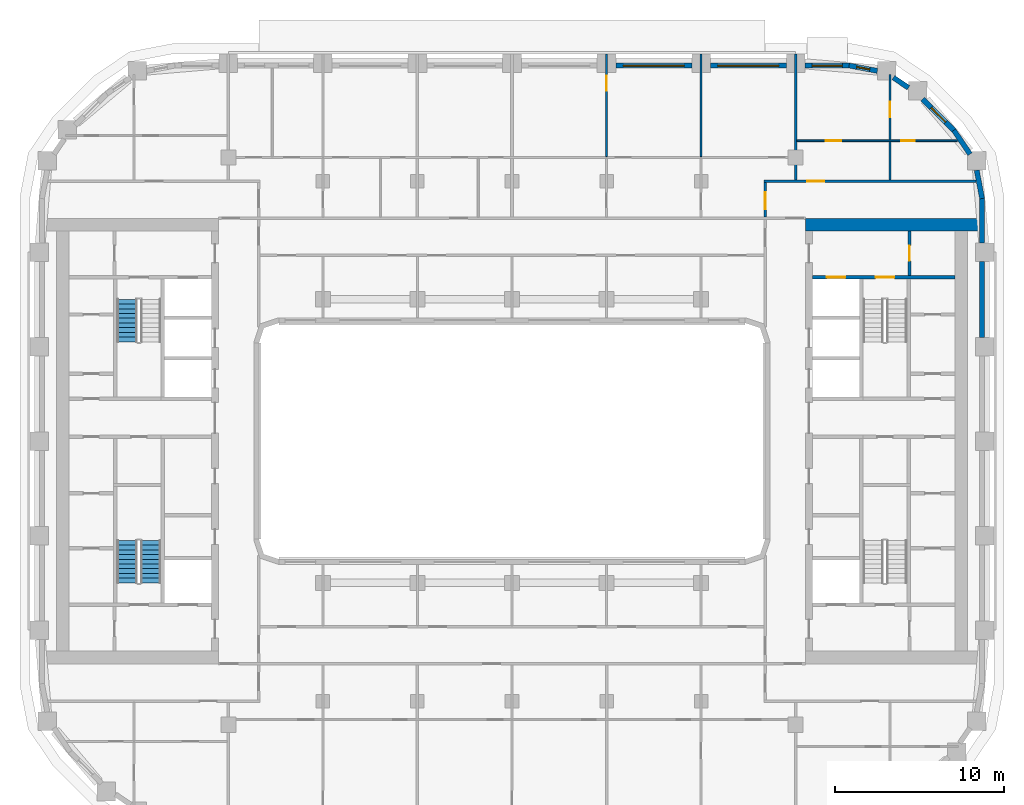
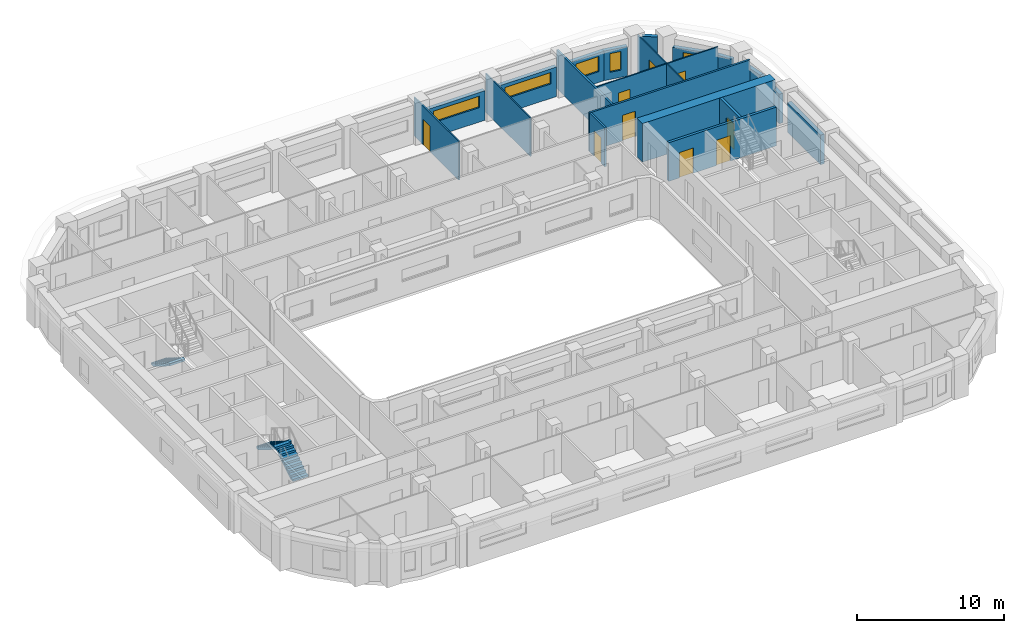
# One storey, part 9 of 22: 21 walls, 9 doors, 5 windows, 3 stair flights, 14 openings, 2 elements without a shape of their own.
"""IFC4 building model written with IfcOpenShell, lengths in metres."""

from ifc_helpers import new_model, si_unit, direction, frame, frame_2d, origin, place, context, subcontext, project, spatial, polyline, rectangle, outline, extrude, material, layer, layer_set, type_object, element, fill, aggregate, save


model = new_model("IFC4")

# Units and contexts
model_context = context("Model", 3, precision=1e-05, world=origin(), true_north=direction((0.0, 1.0)))
body_context = subcontext(model_context, "Body", "Model", "MODEL_VIEW")
ifc_project = project(units=[si_unit("LENGTHUNIT", "METRE"), si_unit("AREAUNIT", "SQUARE_METRE"), si_unit("VOLUMEUNIT", "CUBIC_METRE"), si_unit("PLANEANGLEUNIT", "RADIAN"), si_unit("MASSUNIT", "GRAM", prefix="KILO")], contexts=[model_context])

# Site, building, storey
site_placement = place(None, origin())
site = spatial("IfcSite", under=ifc_project, at=site_placement, CompositionType="ELEMENT")
building_placement = place(site_placement, origin())
building = spatial("IfcBuilding", under=site, at=building_placement, Name="Kiln Ring Residences", CompositionType="ELEMENT")
storey_placement = place(building_placement, frame((0.0, 0.0, 153.60009765625)))
storey = spatial("IfcBuildingStorey", under=building, at=storey_placement, Name="L39", CompositionType="ELEMENT", Elevation=153.60009765625)

# Wall, opening, door
ifc_material_1 = material(Name="Gypsum board on steel studs", Category="steel")
ifc_layer_1 = layer(ifc_material_1, 0.199951171875)
ifc_layer_set_1 = layer_set([ifc_layer_1], Name="CORE-PARTITION-200")
wall_type_1 = type_object("IfcWallType", Name="CORE-PARTITION-200", PredefinedType="PARTITIONING", material=ifc_layer_set_1)
wall_1_placement = place(storey_placement, frame((23.550048828125, 9.800048828125, 0.0), z_axis=(0.0, 0.0, 1.0), x_axis=(0.0, 1.0, 0.0)))
wall_1 = element("IfcWall", 1, at=wall_1_placement, inside=storey, type_object=wall_type_1, Name="Core partition east L39 4", PredefinedType="PARTITIONING", context=body_context, shape_type="SweptSolid", body=[
    extrude(rectangle(XDim=2.64990234375, YDim=0.199951171875, at=frame_2d((1.324951171875, 0.0))), origin(), (0.0, 0.0, 1.0), 3.199951171875),
])
opening_1_placement = place(wall_1_placement, frame((0.875, 0.0, 0.0)))
opening_1 = element("IfcOpeningElement", 2, at=opening_1_placement, cuts=wall_1, Name="Opening L39-CE09", PredefinedType="OPENING", context=body_context, shape_type="SweptSolid", body=[
    extrude(rectangle(XDim=0.89990234375, YDim=2.10009765625, at=frame_2d((0.449951171875, 1.050048828125))), frame((0.0, 0.10986328125, 0.0), z_axis=(0.0, -1.0, 0.0), x_axis=(1.0, 0.0, 0.0)), (0.0, 0.0, 1.0), 0.219970703125),
])
ifc_material_2 = material(Name="Steel door leaf", Category="steel")
door_type_1 = type_object("IfcDoorType", Name="CORE-DOOR-ROOM", OperationType="SINGLE_SWING_LEFT", PredefinedType="DOOR", material=ifc_material_2)
door_1_placement = place(opening_1_placement, origin())
door_1 = element("IfcDoor", 3, at=door_1_placement, inside=storey, type_object=door_type_1, Name="Fire riser room L39-CE09", OperationType="SINGLE_SWING_RIGHT", OverallHeight=2.10009765625, OverallWidth=0.89990234375, PredefinedType="DOOR", context=body_context, shape_type="SweptSolid", body=[
    extrude(rectangle(XDim=0.89990234375, YDim=2.10009765625, at=frame_2d((0.449951171875, 1.050048828125))), frame((0.0, 0.02490234375, 0.0), z_axis=(0.0, -1.0, 0.0), x_axis=(1.0, 0.0, 0.0)), (0.0, 0.0, 1.0), 0.050048828125),
])
fill(opening_1, door_1)

# Wall, openings, doors
ifc_material_3 = material(Name="Concrete C40/50", Category="concrete")
ifc_layer_2 = layer(ifc_material_3, 0.199951171875)
ifc_layer_set_2 = layer_set([ifc_layer_2], Name="CORE-WALL-RC200")
wall_type_2 = type_object("IfcWallType", Name="CORE-WALL-RC200", PredefinedType="SHEAR", material=ifc_layer_set_2)
wall_2_placement = place(storey_placement, frame((17.800048828125, 9.699951171875, 0.0), z_axis=(0.0, 0.0, 1.0), x_axis=(1.0, 0.0, 0.0)))
wall_2 = element("IfcWall", 4, at=wall_2_placement, inside=storey, type_object=wall_type_2, Name="Core wall east L39 9", PredefinedType="SHEAR", context=body_context, shape_type="SweptSolid", body=[
    extrude(rectangle(XDim=8.449951171875, YDim=0.199951171875, at=frame_2d((4.22509765625, 0.0))), origin(), (0.0, 0.0, 1.0), 3.199951171875),
])
opening_2_placement = place(wall_2_placement, frame((0.85009765625, 0.0, 0.0)))
opening_2 = element("IfcOpeningElement", 5, at=opening_2_placement, cuts=wall_2, Name="Opening L39-CE06", PredefinedType="OPENING", context=body_context, shape_type="SweptSolid", body=[
    extrude(rectangle(XDim=1.10009765625, YDim=2.10009765625, at=frame_2d((0.550048828125, 1.050048828125))), frame((0.0, 0.10986328125, 0.0), z_axis=(0.0, -1.0, 0.0), x_axis=(1.0, 0.0, 0.0)), (0.0, 0.0, 1.0), 0.219970703125),
])
opening_3_placement = place(wall_2_placement, frame((3.75, 0.0, 0.0)))
opening_3 = element("IfcOpeningElement", 6, at=opening_3_placement, cuts=wall_2, Name="Opening L39-CE11", PredefinedType="OPENING", context=body_context, shape_type="SweptSolid", body=[
    extrude(rectangle(XDim=1.10009765625, YDim=2.10009765625, at=frame_2d((0.550048828125, 1.050048828125))), frame((0.0, 0.10986328125, 0.0), z_axis=(0.0, -1.0, 0.0), x_axis=(1.0, 0.0, 0.0)), (0.0, 0.0, 1.0), 0.219970703125),
])
ifc_material_4 = material(Name="Steel door leaf", Category="steel")
door_type_2 = type_object("IfcDoorType", Name="CORE-DOOR-LD", OperationType="DOUBLE_DOOR_SLIDING", PredefinedType="DOOR", material=ifc_material_4)
door_2_placement = place(opening_2_placement, origin())
door_2 = element("IfcDoor", 7, at=door_2_placement, inside=storey, type_object=door_type_2, Name="LD E-FF L39-CE06", OperationType="DOUBLE_DOOR_SLIDING", OverallHeight=2.10009765625, OverallWidth=1.10009765625, PredefinedType="DOOR", context=body_context, shape_type="SweptSolid", body=[
    extrude(rectangle(XDim=1.10009765625, YDim=2.10009765625, at=frame_2d((0.550048828125, 1.050048828125))), frame((0.0, 0.02490234375, 0.0), z_axis=(0.0, -1.0, 0.0), x_axis=(1.0, 0.0, 0.0)), (0.0, 0.0, 1.0), 0.050048828125),
])
fill(opening_2, door_2)
ifc_material_5 = material(Name="Steel door leaf", Category="steel")
door_type_3 = type_object("IfcDoorType", Name="CORE-DOOR-STAIR", OperationType="SINGLE_SWING_LEFT", PredefinedType="DOOR", material=ifc_material_5)
door_3_placement = place(opening_3_placement, origin())
door_3 = element("IfcDoor", 8, at=door_3_placement, inside=storey, type_object=door_type_3, Name="Stair E-STN L39-CE11", OperationType="SINGLE_SWING_RIGHT", OverallHeight=2.10009765625, OverallWidth=1.10009765625, PredefinedType="DOOR", context=body_context, shape_type="SweptSolid", body=[
    extrude(rectangle(XDim=1.10009765625, YDim=2.10009765625, at=frame_2d((0.550048828125, 1.050048828125))), frame((0.0, 0.02490234375, 0.0), z_axis=(0.0, -1.0, 0.0), x_axis=(1.0, 0.0, 0.0)), (0.0, 0.0, 1.0), 0.050048828125),
])
fill(opening_3, door_3)

# Walls
ifc_material_6 = material(Name="Concrete C60/75", Category="concrete")
ifc_layer_3 = layer(ifc_material_6, 0.75)
ifc_layer_set_3 = layer_set([ifc_layer_3], Name="CORE-WALL-RC750")
wall_type_3 = type_object("IfcWallType", Name="CORE-WALL-RC750", PredefinedType="SHEAR", material=ifc_layer_set_3)
wall_3_placement = place(storey_placement, frame((17.39990234375, 12.824951171875, 0.0), z_axis=(0.0, 0.0, 1.0), x_axis=(1.0, 0.0, 0.0)))
element("IfcWall", 9, at=wall_3_placement, inside=storey, type_object=wall_type_3, Name="Core wall east L39 4", PredefinedType="SHEAR", context=body_context, shape_type="SweptSolid", body=[
    extrude(rectangle(XDim=10.400146484375, YDim=0.75, at=frame_2d((5.2001953125, 0.0))), origin(), (0.0, 0.0, 1.0), 3.199951171875),
])
ifc_material_7 = material(Name="Brick masonry, dark clay brick", Category="masonry")
ifc_layer_4 = layer(ifc_material_7, 0.300048828125)
ifc_layer_set_4 = layer_set([ifc_layer_4], Name="EW-300 BRICK WALL")
wall_type_4 = type_object("IfcWallType", Name="EW-300 BRICK WALL", PredefinedType="SOLIDWALL", material=ifc_layer_set_4)
wall_4_placement = place(storey_placement, frame((27.85009765625, 6.14990234375, 0.0), z_axis=(0.0, 0.0, 1.0), x_axis=(0.0, 1.0, 0.0)))
element("IfcWall", 10, at=wall_4_placement, inside=storey, type_object=wall_type_4, Name="Facade wall L39 21", PredefinedType="SOLIDWALL", context=body_context, shape_type="SweptSolid", body=[
    extrude(rectangle(XDim=4.5, YDim=0.300048828125, at=frame_2d((2.25, 0.0))), origin(), (0.0, 0.0, 1.0), 2.449951171875),
])
wall_5_placement = place(storey_placement, frame((27.85009765625, 11.75, 0.0), z_axis=(0.0, 0.0, 1.0), x_axis=(0.0, 1.0, 0.0)))
element("IfcWall", 11, at=wall_5_placement, inside=storey, type_object=wall_type_4, Name="Facade wall L39 22", PredefinedType="SOLIDWALL", context=body_context, shape_type="SweptSolid", body=[
    extrude(rectangle(XDim=2.64990234375, YDim=0.300048828125, at=frame_2d((1.324951171875, 0.0))), origin(), (0.0, 0.0, 1.0), 2.449951171875),
])
wall_6_placement = place(storey_placement, frame((27.8525390625, 14.371826171875, 0.0), z_axis=(0.0, 0.0, 1.0), x_axis=(-0.187302784601, 0.982302227871, 0.0)))
element("IfcWall", 12, at=wall_6_placement, inside=storey, type_object=wall_type_4, Name="Facade wall L39 23", PredefinedType="SOLIDWALL", context=body_context, shape_type="SweptSolid", body=[
    extrude(rectangle(XDim=1.706298828125, YDim=0.300048828125, at=frame_2d((0.85302734375, 0.0))), origin(), (0.0, 0.0, 1.0), 2.449951171875),
])
wall_7_placement = place(storey_placement, frame((27.137939453125, 17.001708984375, 0.0), z_axis=(0.0, 0.0, 1.0), x_axis=(-0.562075160946, 0.827086158419, 0.0)))
element("IfcWall", 13, at=wall_7_placement, inside=storey, type_object=wall_type_4, Name="Facade wall L39 24", PredefinedType="SOLIDWALL", context=body_context, shape_type="SweptSolid", body=[
    extrude(rectangle(XDim=1.7060546875, YDim=0.300048828125, at=frame_2d((0.85302734375, 0.0))), origin(), (0.0, 0.0, 1.0), 2.449951171875),
])

# Wall, opening, window
wall_8_placement = place(storey_placement, frame((26.19677734375, 18.390869140625, 0.0), z_axis=(0.0, 0.0, 1.0), x_axis=(-0.707060717099, 0.707152842274, 0.0)))
wall_8 = element("IfcWall", 14, at=wall_8_placement, inside=storey, type_object=wall_type_4, Name="Facade wall L39 25", PredefinedType="SOLIDWALL", context=body_context, shape_type="SweptSolid", body=[
    extrude(rectangle(XDim=2.650146484375, YDim=0.300048828125, at=frame_2d((1.3251953125, 0.0))), origin(), (0.0, 0.0, 1.0), 2.449951171875),
])
opening_4_placement = place(wall_8_placement, frame((0.72509765625, 0.0, 0.60009765625)))
opening_4 = element("IfcOpeningElement", 15, at=opening_4_placement, cuts=wall_8, Name="Opening W1", PredefinedType="OPENING", context=body_context, shape_type="SweptSolid", body=[
    extrude(rectangle(XDim=1.199951171875, YDim=1.550048828125, at=frame_2d((0.60009765625, 0.77490234375))), frame((0.0, 0.159912109375, 0.0), z_axis=(0.0, -1.0, 0.0), x_axis=(1.0, 0.0, 0.0)), (0.0, 0.0, 1.0), 0.320068359375),
])
ifc_material_8 = material(Name="Aluminium frame with double glazing", Category="aluminium")
window_type_1 = type_object("IfcWindowType", Name="WINDOW 1200 x 1550", PartitioningType="SINGLE_PANEL", PredefinedType="WINDOW", material=ifc_material_8)
window_1_placement = place(opening_4_placement, origin())
window_1 = element("IfcWindow", 16, at=window_1_placement, inside=storey, type_object=window_type_1, Name="Window L39 14", OverallHeight=1.550048828125, OverallWidth=1.199951171875, PartitioningType="SINGLE_PANEL", PredefinedType="WINDOW", context=body_context, shape_type="SweptSolid", body=[
    extrude(rectangle(XDim=1.199951171875, YDim=1.550048828125, at=frame_2d((0.60009765625, 0.77490234375))), frame((0.0, 0.030029296875, 0.0), z_axis=(0.0, -1.0, 0.0), x_axis=(1.0, 0.0, 0.0)), (0.0, 0.0, 1.0), 0.06005859375),
])
fill(opening_4, window_1)

# Wall
wall_9_placement = place(storey_placement, frame((23.492431640625, 20.932373046875, 0.0), z_axis=(0.0, 0.0, 1.0), x_axis=(-0.826993959827, 0.562210806023, 0.0)))
element("IfcWall", 17, at=wall_9_placement, inside=storey, type_object=wall_type_4, Name="Facade wall L39 26", PredefinedType="SOLIDWALL", context=body_context, shape_type="SweptSolid", body=[
    extrude(rectangle(XDim=1.076904296875, YDim=0.300048828125, at=frame_2d((0.53857421875, 0.0))), origin(), (0.0, 0.0, 1.0), 3.199951171875),
])

# Wall, opening, window
wall_10_placement = place(storey_placement, frame((21.647705078125, 21.93310546875, 0.0), z_axis=(0.0, 0.0, 1.0), x_axis=(-0.982297206936, 0.187329114784, 0.0)))
wall_10 = element("IfcWall", 18, at=wall_10_placement, inside=storey, type_object=wall_type_4, Name="Facade wall L39 27", PredefinedType="SOLIDWALL", context=body_context, shape_type="SweptSolid", body=[
    extrude(rectangle(XDim=1.7060546875, YDim=0.300048828125, at=frame_2d((0.85302734375, 0.0))), origin(), (0.0, 0.0, 1.0), 2.449951171875),
])
opening_5_placement = place(wall_10_placement, frame((0.453125, 0.0, 0.60009765625)))
opening_5 = element("IfcOpeningElement", 19, at=opening_5_placement, cuts=wall_10, Name="Opening W5", PredefinedType="OPENING", context=body_context, shape_type="SweptSolid", body=[
    extrude(rectangle(XDim=0.800048828125, YDim=1.550048828125, at=frame_2d((0.39990234375, 0.77490234375))), frame((0.0, 0.159912109375, 0.0), z_axis=(0.0, -1.0, 0.0), x_axis=(1.0, 0.0, 0.0)), (0.0, 0.0, 1.0), 0.320068359375),
])
ifc_material_9 = material(Name="Aluminium frame with double glazing", Category="aluminium")
window_type_2 = type_object("IfcWindowType", Name="WINDOW 800 x 1550", PartitioningType="SINGLE_PANEL", PredefinedType="WINDOW", material=ifc_material_9)
window_2_placement = place(opening_5_placement, origin())
window_2 = element("IfcWindow", 20, at=window_2_placement, inside=storey, type_object=window_type_2, Name="Window L39 15", OverallHeight=1.550048828125, OverallWidth=0.800048828125, PartitioningType="SINGLE_PANEL", PredefinedType="WINDOW", context=body_context, shape_type="SweptSolid", body=[
    extrude(rectangle(XDim=0.800048828125, YDim=1.550048828125, at=frame_2d((0.39990234375, 0.77490234375))), frame((0.0, 0.030029296875, 0.0), z_axis=(0.0, -1.0, 0.0), x_axis=(1.0, 0.0, 0.0)), (0.0, 0.0, 1.0), 0.06005859375),
])
fill(opening_5, window_2)

wall_11_placement = place(storey_placement, frame((20.0, 22.25, 0.0), z_axis=(0.0, 0.0, 1.0), x_axis=(-1.0, 0.0, 0.0)))
wall_11 = element("IfcWall", 21, at=wall_11_placement, inside=storey, type_object=wall_type_4, Name="Facade wall L39 28", PredefinedType="SOLIDWALL", context=body_context, shape_type="SweptSolid", body=[
    extrude(rectangle(XDim=2.64990234375, YDim=0.300048828125, at=frame_2d((1.324951171875, 0.0))), origin(), (0.0, 0.0, 1.0), 2.449951171875),
])
opening_6_placement = place(wall_11_placement, frame((0.425048828125, 0.0, 0.89990234375)))
opening_6 = element("IfcOpeningElement", 22, at=opening_6_placement, cuts=wall_11, Name="Opening W2", PredefinedType="OPENING", context=body_context, shape_type="SweptSolid", body=[
    extrude(rectangle(XDim=1.800048828125, YDim=1.25, at=frame_2d((0.89990234375, 0.625))), frame((0.0, 0.159912109375, 0.0), z_axis=(0.0, -1.0, 0.0), x_axis=(1.0, 0.0, 0.0)), (0.0, 0.0, 1.0), 0.320068359375),
])
ifc_material_10 = material(Name="Aluminium frame with double glazing", Category="aluminium")
window_type_3 = type_object("IfcWindowType", Name="WINDOW 1800 x 1250", PartitioningType="SINGLE_PANEL", PredefinedType="WINDOW", material=ifc_material_10)
window_3_placement = place(opening_6_placement, origin())
window_3 = element("IfcWindow", 23, at=window_3_placement, inside=storey, type_object=window_type_3, Name="Window L39 16", OverallHeight=1.25, OverallWidth=1.800048828125, PartitioningType="SINGLE_PANEL", PredefinedType="WINDOW", context=body_context, shape_type="SweptSolid", body=[
    extrude(rectangle(XDim=1.800048828125, YDim=1.25, at=frame_2d((0.89990234375, 0.625))), frame((0.0, 0.030029296875, 0.0), z_axis=(0.0, -1.0, 0.0), x_axis=(1.0, 0.0, 0.0)), (0.0, 0.0, 1.0), 0.06005859375),
])
fill(opening_6, window_3)

wall_12_placement = place(storey_placement, frame((16.25, 22.25, 0.0), z_axis=(0.0, 0.0, 1.0), x_axis=(-1.0, 0.0, 0.0)))
wall_12 = element("IfcWall", 24, at=wall_12_placement, inside=storey, type_object=wall_type_4, Name="Facade wall L39 29", PredefinedType="SOLIDWALL", context=body_context, shape_type="SweptSolid", body=[
    extrude(rectangle(XDim=4.5, YDim=0.300048828125, at=frame_2d((2.25, 0.0))), origin(), (0.0, 0.0, 1.0), 2.449951171875),
])
opening_7_placement = place(wall_12_placement, frame((0.449951171875, 0.0, 1.199951171875)))
opening_7 = element("IfcOpeningElement", 25, at=opening_7_placement, cuts=wall_12, Name="Opening W4", PredefinedType="OPENING", context=body_context, shape_type="SweptSolid", body=[
    extrude(rectangle(XDim=3.60009765625, YDim=0.949951171875, at=frame_2d((1.800048828125, 0.47509765625))), frame((0.0, 0.159912109375, 0.0), z_axis=(0.0, -1.0, 0.0), x_axis=(1.0, 0.0, 0.0)), (0.0, 0.0, 1.0), 0.320068359375),
])
ifc_material_11 = material(Name="Aluminium frame with double glazing", Category="aluminium")
window_type_4 = type_object("IfcWindowType", Name="WINDOW 3600 x 950", PartitioningType="SINGLE_PANEL", PredefinedType="WINDOW", material=ifc_material_11)
window_4_placement = place(opening_7_placement, origin())
window_4 = element("IfcWindow", 26, at=window_4_placement, inside=storey, type_object=window_type_4, Name="Window L39 17", OverallHeight=0.949951171875, OverallWidth=3.60009765625, PartitioningType="SINGLE_PANEL", PredefinedType="WINDOW", context=body_context, shape_type="SweptSolid", body=[
    extrude(rectangle(XDim=3.60009765625, YDim=0.949951171875, at=frame_2d((1.800048828125, 0.47509765625))), frame((0.0, 0.030029296875, 0.0), z_axis=(0.0, -1.0, 0.0), x_axis=(1.0, 0.0, 0.0)), (0.0, 0.0, 1.0), 0.06005859375),
])
fill(opening_7, window_4)

wall_13_placement = place(storey_placement, frame((10.64990234375, 22.25, 0.0), z_axis=(0.0, 0.0, 1.0), x_axis=(-1.0, 0.0, 0.0)))
wall_13 = element("IfcWall", 27, at=wall_13_placement, inside=storey, type_object=wall_type_4, Name="Facade wall L39 30", PredefinedType="SOLIDWALL", context=body_context, shape_type="SweptSolid", body=[
    extrude(rectangle(XDim=4.5, YDim=0.300048828125, at=frame_2d((2.25, 0.0))), origin(), (0.0, 0.0, 1.0), 2.449951171875),
])
opening_8_placement = place(wall_13_placement, frame((0.449951171875, 0.0, 1.199951171875)))
opening_8 = element("IfcOpeningElement", 28, at=opening_8_placement, cuts=wall_13, Name="Opening W4", PredefinedType="OPENING", context=body_context, shape_type="SweptSolid", body=[
    extrude(rectangle(XDim=3.60009765625, YDim=0.949951171875, at=frame_2d((1.800048828125, 0.47509765625))), frame((0.0, 0.159912109375, 0.0), z_axis=(0.0, -1.0, 0.0), x_axis=(1.0, 0.0, 0.0)), (0.0, 0.0, 1.0), 0.320068359375),
])
window_5_placement = place(opening_8_placement, origin())
window_5 = element("IfcWindow", 29, at=window_5_placement, inside=storey, type_object=window_type_4, Name="Window L39 18", OverallHeight=0.949951171875, OverallWidth=3.60009765625, PartitioningType="SINGLE_PANEL", PredefinedType="WINDOW", context=body_context, shape_type="SweptSolid", body=[
    extrude(rectangle(XDim=3.60009765625, YDim=0.949951171875, at=frame_2d((1.800048828125, 0.47509765625))), frame((0.0, 0.030029296875, 0.0), z_axis=(0.0, -1.0, 0.0), x_axis=(1.0, 0.0, 0.0)), (0.0, 0.0, 1.0), 0.06005859375),
])
fill(opening_8, window_5)

# Wall, openings, doors
ifc_material_12 = material(Name="Gypsum board on steel studs", Category="steel")
ifc_layer_5 = layer(ifc_material_12, 0.10009765625)
ifc_layer_set_5 = layer_set([ifc_layer_5], Name="PARTITION-100")
wall_type_5 = type_object("IfcWallType", Name="PARTITION-100", PredefinedType="PARTITIONING", material=ifc_layer_set_5)
wall_14_placement = place(storey_placement, frame((16.875, 17.800048828125, 0.0), z_axis=(0.0, 0.0, 1.0), x_axis=(1.0, 0.0, 0.0)))
wall_14 = element("IfcWall", 30, at=wall_14_placement, inside=storey, type_object=wall_type_5, Name="Partition 012", PredefinedType="PARTITIONING", context=body_context, shape_type="SweptSolid", body=[
    extrude(rectangle(XDim=9.51904296875, YDim=0.10009765625, at=frame_2d((4.759521484375, 0.0))), origin(), (0.0, 0.0, 1.0), 3.199951171875),
])
opening_9_placement = place(wall_14_placement, frame((6.175048828125, 0.0, 0.0)))
opening_9 = element("IfcOpeningElement", 31, at=opening_9_placement, cuts=wall_14, Name="Opening L39-D031", PredefinedType="OPENING", context=body_context, shape_type="SweptSolid", body=[
    extrude(rectangle(XDim=0.800048828125, YDim=2.10009765625, at=frame_2d((0.39990234375, 1.050048828125))), frame((0.0, 0.06005859375, 0.0), z_axis=(0.0, -1.0, 0.0), x_axis=(1.0, 0.0, 0.0)), (0.0, 0.0, 1.0), 0.1201171875),
])
opening_10_placement = place(wall_14_placement, frame((1.72509765625, 0.0, 0.0)))
opening_10 = element("IfcOpeningElement", 32, at=opening_10_placement, cuts=wall_14, Name="Opening L39-D032", PredefinedType="OPENING", context=body_context, shape_type="SweptSolid", body=[
    extrude(rectangle(XDim=0.89990234375, YDim=2.10009765625, at=frame_2d((0.449951171875, 1.050048828125))), frame((0.0, 0.06005859375, 0.0), z_axis=(0.0, -1.0, 0.0), x_axis=(1.0, 0.0, 0.0)), (0.0, 0.0, 1.0), 0.1201171875),
])
ifc_material_13 = material(Name="Timber door leaf", Category="wood")
door_type_4 = type_object("IfcDoorType", Name="FLAT-DOOR-800-PL", OperationType="SINGLE_SWING_LEFT", PredefinedType="DOOR", material=ifc_material_13)
door_4_placement = place(opening_9_placement, origin())
door_4 = element("IfcDoor", 33, at=door_4_placement, inside=storey, type_object=door_type_4, Name="Door L39-D031", OperationType="SINGLE_SWING_LEFT", OverallHeight=2.10009765625, OverallWidth=0.800048828125, PredefinedType="DOOR", context=body_context, shape_type="SweptSolid", body=[
    extrude(rectangle(XDim=0.800048828125, YDim=2.10009765625, at=frame_2d((0.39990234375, 1.050048828125))), frame((0.0, 0.02490234375, 0.0), z_axis=(0.0, -1.0, 0.0), x_axis=(1.0, 0.0, 0.0)), (0.0, 0.0, 1.0), 0.050048828125),
])
fill(opening_9, door_4)
ifc_material_14 = material(Name="Timber door leaf", Category="wood")
door_type_5 = type_object("IfcDoorType", Name="FLAT-DOOR-900-PL", OperationType="SINGLE_SWING_LEFT", PredefinedType="DOOR", material=ifc_material_14)
door_5_placement = place(opening_10_placement, origin())
door_5 = element("IfcDoor", 34, at=door_5_placement, inside=storey, type_object=door_type_5, Name="Door L39-D032", OperationType="SINGLE_SWING_RIGHT", OverallHeight=2.10009765625, OverallWidth=0.89990234375, PredefinedType="DOOR", context=body_context, shape_type="SweptSolid", body=[
    extrude(rectangle(XDim=0.89990234375, YDim=2.10009765625, at=frame_2d((0.449951171875, 1.050048828125))), frame((0.0, 0.02490234375, 0.0), z_axis=(0.0, -1.0, 0.0), x_axis=(1.0, 0.0, 0.0)), (0.0, 0.0, 1.0), 0.050048828125),
])
fill(opening_10, door_5)

# Wall, opening, door
wall_15_placement = place(storey_placement, frame((5.60009765625, 16.85009765625, 0.0), z_axis=(0.0, 0.0, 1.0), x_axis=(0.0, 1.0, 0.0)))
wall_15 = element("IfcWall", 35, at=wall_15_placement, inside=storey, type_object=wall_type_5, Name="Partition 048", PredefinedType="PARTITIONING", context=body_context, shape_type="SweptSolid", body=[
    extrude(rectangle(XDim=6.079833984375, YDim=0.10009765625, at=frame_2d((3.0400390625, 0.0))), origin(), (0.0, 0.0, 1.0), 3.199951171875),
])
opening_11_placement = place(wall_15_placement, frame((3.909912109375, 0.0, 0.0)))
opening_11 = element("IfcOpeningElement", 36, at=opening_11_placement, cuts=wall_15, Name="Opening L39-D029", PredefinedType="OPENING", context=body_context, shape_type="SweptSolid", body=[
    extrude(rectangle(XDim=0.89990234375, YDim=2.10009765625, at=frame_2d((0.449951171875, 1.050048828125))), frame((0.0, 0.06005859375, 0.0), z_axis=(0.0, -1.0, 0.0), x_axis=(1.0, 0.0, 0.0)), (0.0, 0.0, 1.0), 0.1201171875),
])
door_6_placement = place(opening_11_placement, origin())
door_6 = element("IfcDoor", 37, at=door_6_placement, inside=storey, type_object=door_type_5, Name="Door L39-D029", OperationType="SINGLE_SWING_LEFT", OverallHeight=2.10009765625, OverallWidth=0.89990234375, PredefinedType="DOOR", context=body_context, shape_type="SweptSolid", body=[
    extrude(rectangle(XDim=0.89990234375, YDim=2.10009765625, at=frame_2d((0.449951171875, 1.050048828125))), frame((0.0, 0.02490234375, 0.0), z_axis=(0.0, -1.0, 0.0), x_axis=(1.0, 0.0, 0.0)), (0.0, 0.0, 1.0), 0.050048828125),
])
fill(opening_11, door_6)

# Walls
wall_16_placement = place(storey_placement, frame((11.199951171875, 16.85009765625, 0.0), z_axis=(0.0, 0.0, 1.0), x_axis=(0.0, 1.0, 0.0)))
element("IfcWall", 38, at=wall_16_placement, inside=storey, type_object=wall_type_5, Name="Partition 056", PredefinedType="PARTITIONING", context=body_context, shape_type="SweptSolid", body=[
    extrude(rectangle(XDim=6.079833984375, YDim=0.10009765625, at=frame_2d((3.0400390625, 0.0))), origin(), (0.0, 0.0, 1.0), 3.199951171875),
])
wall_17_placement = place(storey_placement, frame((22.39990234375, 15.47509765625, 0.0), z_axis=(0.0, 0.0, 1.0), x_axis=(0.0, 1.0, 0.0)))
element("IfcWall", 39, at=wall_17_placement, inside=storey, type_object=wall_type_5, Name="Partition 065", PredefinedType="PARTITIONING", context=body_context, shape_type="SweptSolid", body=[
    extrude(rectangle(XDim=2.27490234375, YDim=0.10009765625, at=frame_2d((1.137451171875, 0.0))), origin(), (0.0, 0.0, 1.0), 3.199951171875),
])

# Wall, opening, door
wall_18_placement = place(storey_placement, frame((22.39990234375, 17.85009765625, 0.0), z_axis=(0.0, 0.0, 1.0), x_axis=(0.0, 1.0, 0.0)))
wall_18 = element("IfcWall", 40, at=wall_18_placement, inside=storey, type_object=wall_type_5, Name="Partition 066", PredefinedType="PARTITIONING", context=body_context, shape_type="SweptSolid", body=[
    extrude(rectangle(XDim=3.869873046875, YDim=0.10009765625, at=frame_2d((1.93505859375, 0.0))), origin(), (0.0, 0.0, 1.0), 3.199951171875),
])
opening_12_placement = place(wall_18_placement, frame((1.35009765625, 0.0, 0.0)))
opening_12 = element("IfcOpeningElement", 41, at=opening_12_placement, cuts=wall_18, Name="Opening L39-D033", PredefinedType="OPENING", context=body_context, shape_type="SweptSolid", body=[
    extrude(rectangle(XDim=0.89990234375, YDim=2.10009765625, at=frame_2d((0.449951171875, 1.050048828125))), frame((0.0, 0.06005859375, 0.0), z_axis=(0.0, -1.0, 0.0), x_axis=(1.0, 0.0, 0.0)), (0.0, 0.0, 1.0), 0.1201171875),
])
door_7_placement = place(opening_12_placement, origin())
door_7 = element("IfcDoor", 42, at=door_7_placement, inside=storey, type_object=door_type_5, Name="Door L39-D033", OperationType="SINGLE_SWING_LEFT", OverallHeight=2.10009765625, OverallWidth=0.89990234375, PredefinedType="DOOR", context=body_context, shape_type="SweptSolid", body=[
    extrude(rectangle(XDim=0.89990234375, YDim=2.10009765625, at=frame_2d((0.449951171875, 1.050048828125))), frame((0.0, 0.02490234375, 0.0), z_axis=(0.0, -1.0, 0.0), x_axis=(1.0, 0.0, 0.0)), (0.0, 0.0, 1.0), 0.050048828125),
])
fill(opening_12, door_7)

ifc_material_15 = material(Name="Brick masonry partition", Category="masonry")
ifc_layer_6 = layer(ifc_material_15, 0.14990234375)
ifc_layer_set_6 = layer_set([ifc_layer_6], Name="PARTITION-150-ei60")
wall_type_6 = type_object("IfcWallType", Name="PARTITION-150-ei60", PredefinedType="PARTITIONING", material=ifc_layer_set_6)
wall_19_placement = place(storey_placement, frame((14.925048828125, 15.39990234375, 0.0), z_axis=(0.0, 0.0, 1.0), x_axis=(1.0, 0.0, 0.0)))
wall_19 = element("IfcWall", 43, at=wall_19_placement, inside=storey, type_object=wall_type_6, Name="Partition 010", PredefinedType="PARTITIONING", context=body_context, shape_type="SweptSolid", body=[
    extrude(rectangle(XDim=12.558837890625, YDim=0.14990234375, at=frame_2d((6.279296875, 0.0))), origin(), (0.0, 0.0, 1.0), 3.199951171875),
])
opening_13_placement = place(wall_19_placement, frame((2.574951171875, 0.0, 0.0)))
opening_13 = element("IfcOpeningElement", 44, at=opening_13_placement, cuts=wall_19, Name="Opening L39-D030", PredefinedType="OPENING", context=body_context, shape_type="SweptSolid", body=[
    extrude(rectangle(XDim=1.0, YDim=2.10009765625, at=frame_2d((0.5, 1.050048828125))), frame((0.0, 0.0849609375, 0.0), z_axis=(0.0, -1.0, 0.0), x_axis=(1.0, 0.0, 0.0)), (0.0, 0.0, 1.0), 0.169921875),
])
ifc_material_16 = material(Name="Steel faced fire door leaf", Category="steel")
door_type_6 = type_object("IfcDoorType", Name="FLAT-DOOR-1000-FR", OperationType="SINGLE_SWING_LEFT", PredefinedType="DOOR", material=ifc_material_16)
door_8_placement = place(opening_13_placement, origin())
door_8 = element("IfcDoor", 45, at=door_8_placement, inside=storey, type_object=door_type_6, Name="Door L39-D030", OperationType="SINGLE_SWING_RIGHT", OverallHeight=2.10009765625, OverallWidth=1.0, PredefinedType="DOOR", context=body_context, shape_type="SweptSolid", body=[
    extrude(rectangle(XDim=1.0, YDim=2.10009765625, at=frame_2d((0.5, 1.050048828125))), frame((0.0, 0.02490234375, 0.0), z_axis=(0.0, -1.0, 0.0), x_axis=(1.0, 0.0, 0.0)), (0.0, 0.0, 1.0), 0.050048828125),
])
fill(opening_13, door_8)

wall_20_placement = place(storey_placement, frame((15.0, 13.27490234375, 0.0), z_axis=(0.0, 0.0, 1.0), x_axis=(0.0, 1.0, 0.0)))
wall_20 = element("IfcWall", 46, at=wall_20_placement, inside=storey, type_object=wall_type_6, Name="Partition 060", PredefinedType="PARTITIONING", context=body_context, shape_type="SweptSolid", body=[
    extrude(rectangle(XDim=2.050048828125, YDim=0.14990234375, at=frame_2d((1.02490234375, 0.0))), origin(), (0.0, 0.0, 1.0), 3.199951171875),
])
opening_14_placement = place(wall_20_placement, frame((0.47607421875, 0.0, 0.0)))
opening_14 = element("IfcOpeningElement", 47, at=opening_14_placement, cuts=wall_20, Name="Opening L39-D024", PredefinedType="OPENING", context=body_context, shape_type="SweptSolid", body=[
    extrude(rectangle(XDim=1.0, YDim=2.10009765625, at=frame_2d((0.5, 1.050048828125))), frame((0.0, 0.0849609375, 0.0), z_axis=(0.0, -1.0, 0.0), x_axis=(1.0, 0.0, 0.0)), (0.0, 0.0, 1.0), 0.169921875),
])
door_9_placement = place(opening_14_placement, origin())
door_9 = element("IfcDoor", 48, at=door_9_placement, inside=storey, type_object=door_type_6, Name="Door L39-D024", OperationType="SINGLE_SWING_RIGHT", OverallHeight=2.10009765625, OverallWidth=1.0, PredefinedType="DOOR", context=body_context, shape_type="SweptSolid", body=[
    extrude(rectangle(XDim=1.0, YDim=2.10009765625, at=frame_2d((0.5, 1.050048828125))), frame((0.0, 0.02490234375, 0.0), z_axis=(0.0, -1.0, 0.0), x_axis=(1.0, 0.0, 0.0)), (0.0, 0.0, 1.0), 0.050048828125),
])
fill(opening_14, door_9)

# Wall
wall_21_placement = place(storey_placement, frame((16.800048828125, 15.47509765625, 0.0), z_axis=(0.0, 0.0, 1.0), x_axis=(0.0, 1.0, 0.0)))
element("IfcWall", 49, at=wall_21_placement, inside=storey, type_object=wall_type_6, Name="Partition 062", PredefinedType="PARTITIONING", context=body_context, shape_type="SweptSolid", body=[
    extrude(rectangle(XDim=7.454833984375, YDim=0.14990234375, at=frame_2d((3.7275390625, 0.0))), origin(), (0.0, 0.0, 1.0), 3.199951171875),
])

# Stair, stair flight
ifc_material_17 = material(Name="Concrete C40/50", Category="concrete")
stair_type = type_object("IfcStairType", Name="CORE-STAIR", PredefinedType="HALF_TURN_STAIR", material=ifc_material_17)
placement = place(storey_placement, origin())
stair_1 = element("IfcStair", 50, at=placement, inside=storey, type_object=stair_type, Name="L39 stair W-STN", PredefinedType="HALF_TURN_STAIR")
ifc_material_18 = material(Name="Concrete C40/50", Category="concrete")
stair_flight_type = type_object("IfcStairFlightType", Name="CORE-STAIR-FLIGHT", PredefinedType="STRAIGHT", material=ifc_material_18)
stair_flight_1_placement = place(storey_placement, frame((-22.800048828125, 8.39990234375, 0.0), z_axis=(0.0, 0.0, 1.0), x_axis=(0.0, -1.0, 0.0)))
stair_flight_1 = element("IfcStairFlight", 51, at=stair_flight_1_placement, type_object=stair_flight_type, Name="W-STN flight 1", NumberOfRisers=10, NumberOfTreads=9, PredefinedType="STRAIGHT", RiserHeight=0.175, TreadLength=0.28, context=body_context, shape_type="SweptSolid", body=[
    extrude(outline(polyline([(0.0, 0.0), (0.0, 0.175048828125), (0.280029296875, 0.175048828125), (0.280029296875, 0.35009765625), (0.56005859375, 0.35009765625), (0.56005859375, 0.52490234375), (0.840087890625, 0.52490234375), (0.840087890625, 0.699951171875), (1.1201171875, 0.699951171875), (1.1201171875, 0.875), (1.39990234375, 0.875), (1.39990234375, 1.050048828125), (1.679931640625, 1.050048828125), (1.679931640625, 1.22509765625), (1.9599609375, 1.22509765625), (1.9599609375, 1.39990234375), (2.239990234375, 1.39990234375), (2.239990234375, 1.574951171875), (2.52001953125, 1.574951171875), (2.52001953125, 1.75), (2.52001953125, 1.398193359375), (0.28271484375, 0.0), (0.0, 0.0)])), frame((0.0, 0.60009765625, 0.0), z_axis=(0.0, -1.0, 0.0), x_axis=(1.0, 0.0, 0.0)), (0.0, 0.0, 1.0), 1.199951171875),
])
aggregate(stair_1, [stair_flight_1])

# Stair, stair flights
stair_2 = element("IfcStair", 52, at=placement, inside=storey, type_object=stair_type, Name="L39 stair W-STS", PredefinedType="HALF_TURN_STAIR")
stair_flight_2_placement = place(storey_placement, frame((-21.39990234375, -8.39990234375, 0.0), z_axis=(0.0, 0.0, 1.0), x_axis=(0.0, 1.0, 0.0)))
stair_flight_2 = element("IfcStairFlight", 53, at=stair_flight_2_placement, type_object=stair_flight_type, Name="W-STS flight 1", NumberOfRisers=10, NumberOfTreads=9, PredefinedType="STRAIGHT", RiserHeight=0.175, TreadLength=0.28, context=body_context, shape_type="SweptSolid", body=[
    extrude(outline(polyline([(0.0, 0.0), (0.0, 0.175048828125), (0.280029296875, 0.175048828125), (0.280029296875, 0.35009765625), (0.56005859375, 0.35009765625), (0.56005859375, 0.52490234375), (0.840087890625, 0.52490234375), (0.840087890625, 0.699951171875), (1.1201171875, 0.699951171875), (1.1201171875, 0.875), (1.39990234375, 0.875), (1.39990234375, 1.050048828125), (1.679931640625, 1.050048828125), (1.679931640625, 1.22509765625), (1.9599609375, 1.22509765625), (1.9599609375, 1.39990234375), (2.239990234375, 1.39990234375), (2.239990234375, 1.574951171875), (2.52001953125, 1.574951171875), (2.52001953125, 1.75), (2.52001953125, 1.398193359375), (0.28271484375, 0.0), (0.0, 0.0)])), frame((0.0, 0.60009765625, 0.0), z_axis=(0.0, -1.0, 0.0), x_axis=(1.0, 0.0, 0.0)), (0.0, 0.0, 1.0), 1.199951171875),
])
stair_flight_3_placement = place(storey_placement, frame((-22.800048828125, -5.8798828125, 1.75), z_axis=(0.0, 0.0, 1.0), x_axis=(0.0, -1.0, 0.0)))
stair_flight_3 = element("IfcStairFlight", 54, at=stair_flight_3_placement, type_object=stair_flight_type, Name="W-STS flight 2", NumberOfRisers=10, NumberOfTreads=9, PredefinedType="STRAIGHT", RiserHeight=0.175, TreadLength=0.28, context=body_context, shape_type="SweptSolid", body=[
    extrude(outline(polyline([(0.0, 0.0), (0.0, 0.175048828125), (0.280029296875, 0.175048828125), (0.280029296875, 0.35009765625), (0.56005859375, 0.35009765625), (0.56005859375, 0.52490234375), (0.840087890625, 0.52490234375), (0.840087890625, 0.699951171875), (1.1201171875, 0.699951171875), (1.1201171875, 0.875), (1.39990234375, 0.875), (1.39990234375, 1.050048828125), (1.679931640625, 1.050048828125), (1.679931640625, 1.22509765625), (1.9599609375, 1.22509765625), (1.9599609375, 1.39990234375), (2.239990234375, 1.39990234375), (2.239990234375, 1.574951171875), (2.52001953125, 1.574951171875), (2.52001953125, 1.75), (2.52001953125, 1.398193359375), (0.28271484375, 0.0), (0.0, 0.0)])), frame((0.0, 0.60009765625, 0.0), z_axis=(0.0, -1.0, 0.0), x_axis=(1.0, 0.0, 0.0)), (0.0, 0.0, 1.0), 1.199951171875),
])
aggregate(stair_2, [stair_flight_2, stair_flight_3])

save(model, "model.ifc")
